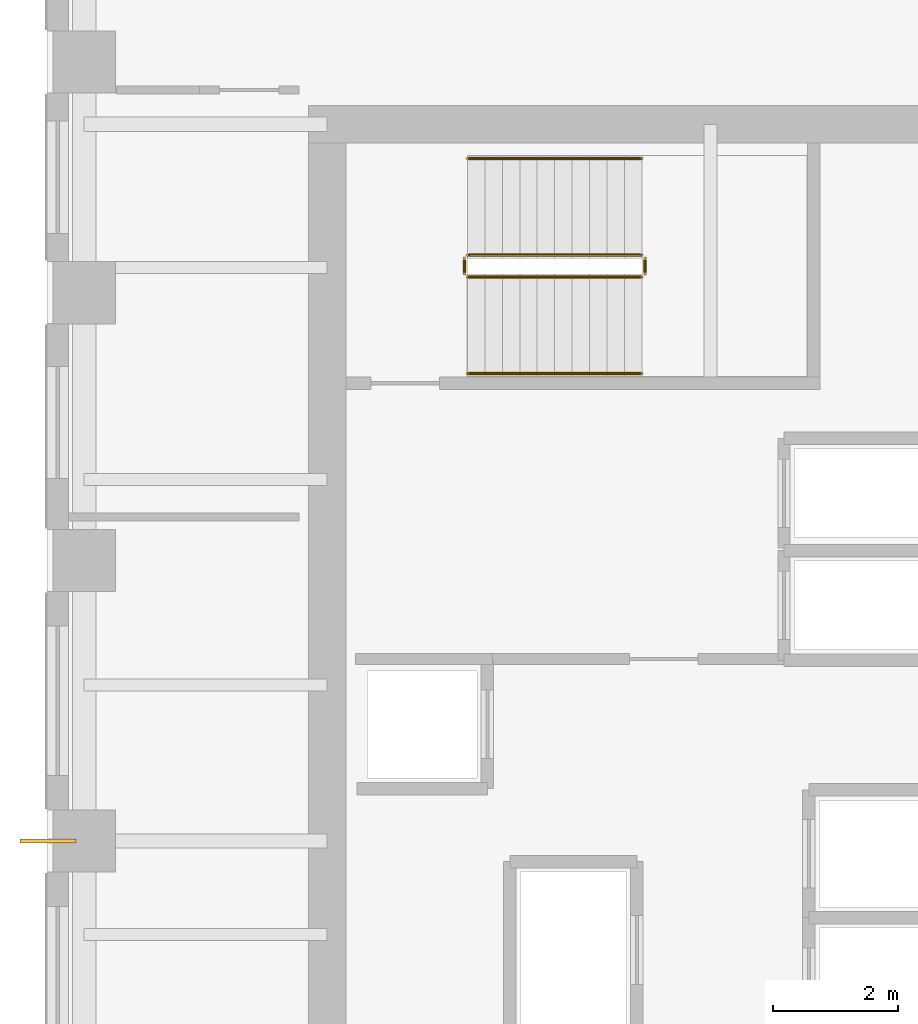
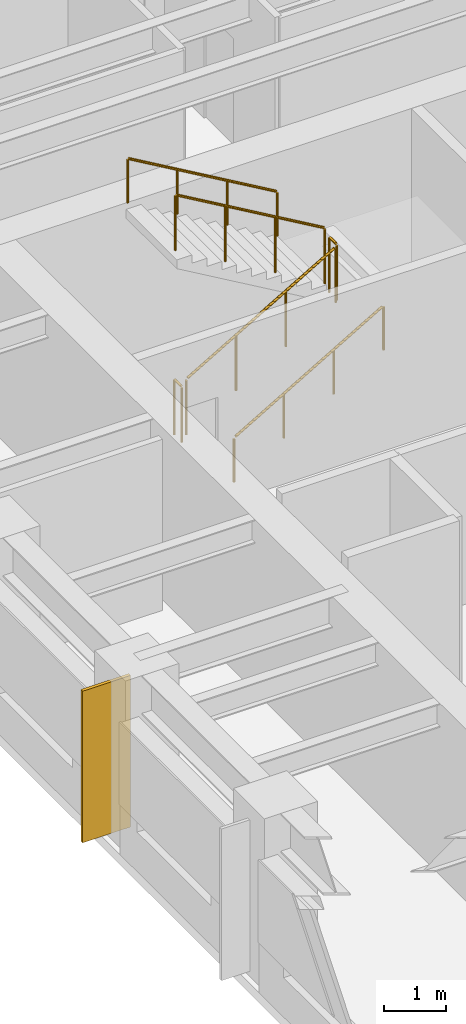
# One storey, part 11 of 12: 6 railings, 1 covering.
"""IFC4 building model written with IfcOpenShell, lengths in metres."""

from ifc_helpers import new_model, si_unit, direction, frame, origin, origin_2d, place, context, subcontext, project, spatial, rectangle, circle, extrude, source, transform, mapped, material, layer, layer_set, type_object, element, save


model = new_model("IFC4")

# Units and contexts
model_context = context("Model", 3, precision=1e-05, world=origin(), true_north=direction((0.0, 1.0)))
body_context = subcontext(model_context, "Body", "Model", "MODEL_VIEW")
ifc_project = project(units=[si_unit("LENGTHUNIT", "METRE"), si_unit("AREAUNIT", "SQUARE_METRE"), si_unit("VOLUMEUNIT", "CUBIC_METRE"), si_unit("PLANEANGLEUNIT", "RADIAN"), si_unit("MASSUNIT", "GRAM", prefix="KILO")], contexts=[model_context])

# Site, building, storey
site_placement = place(None, origin())
site = spatial("IfcSite", under=ifc_project, at=site_placement, CompositionType="ELEMENT")
building_placement = place(site_placement, origin())
building = spatial("IfcBuilding", under=site, at=building_placement, Name="Kharzan Plaza Tower", CompositionType="ELEMENT")
storey_placement = place(building_placement, frame((0.0, 0.0, 179.10009765625)))
storey = spatial("IfcBuildingStorey", under=building, at=storey_placement, Name="L48", CompositionType="ELEMENT", Elevation=179.10009765625)

# Railings
ifc_material_1 = material(Name="Painted Galvanized Architectural Steel", Category="steel")
ifc_layer_1 = layer(ifc_material_1, 0.074951171875)
ifc_layer_set_1 = layer_set([ifc_layer_1], Name="Painted Galvanized Architectural Steel")
railing_type_1 = type_object("IfcRailingType", Name="RL-GUARD-1120", PredefinedType="BALUSTRADE", material=ifc_layer_set_1)
shared_shape_1 = source(origin(), body_context, "Body", "SweptSolid", [
    extrude(circle(Radius=0.02392578125, at=origin_2d()), frame((0.0, 0.0263671875, 1.09619140625), z_axis=(0.0, 1.0, 0.0), x_axis=(-1.0, 0.0, 0.0)), (0.0, 0.0, 1.0), 0.197021484375),
    extrude(circle(Radius=0.02099609375, at=origin_2d()), origin(), (0.0, 0.0, 1.0), 1.072021484375),
    extrude(circle(Radius=0.02099609375, at=origin_2d()), frame((0.0, 0.25, 0.0)), (0.0, 0.0, 1.0), 1.072021484375),
])
for number, where, name in (
    (1, (9.60009765625, 27.10009765625, 1.7998046875), "L48 ST-2 stair guard 2"),
    (2, (6.699951171875, 27.10009765625, 0.0), "L48 ST-2 stair guard 4"),
):
    element("IfcRailing", number, at=place(storey_placement, frame(where)), inside=storey, type_object=railing_type_1, Name=name, PredefinedType="BALUSTRADE", context=body_context, shape_type="MappedRepresentation", body=[
        mapped(shared_shape_1, transform((0.0, 0.0, 0.0), x_axis=(1.0, 0.0, 0.0), y_axis=(0.0, 1.0, 0.0), z_axis=(0.0, 0.0, 1.0))),
    ])

# Covering
ifc_material_2 = material(Name="Honed Riyadh Limestone", Category="masonry")
ifc_layer_2 = layer(ifc_material_2, 0.06005859375)
ifc_layer_set_2 = layer_set([ifc_layer_2], Name="Honed Riyadh Limestone")
covering_type = type_object("IfcCoveringType", Name="COV-CLAD-STONE", PredefinedType="CLADDING", material=ifc_layer_set_2)
shared_shape_2 = source(origin(), body_context, "Body", "SweptSolid", [
    extrude(rectangle(XDim=0.06005859375, YDim=0.89990234375, at=origin_2d()), origin(), (0.0, 0.0, 1.0), 3.0),
])
covering_placement = place(storey_placement, frame((0.02001953125, 18.0, 0.099853515625), z_axis=(0.0, 0.0, 1.0), x_axis=(0.0, 1.0, 0.0)))
element("IfcCovering", 3, at=covering_placement, inside=storey, type_object=covering_type, Name="L48 Limestone Pier Rainscreen Cladding TCW-180", PredefinedType="CLADDING", context=body_context, shape_type="MappedRepresentation", body=[
    mapped(shared_shape_2, transform((0.0, 0.0, 0.0), x_axis=(1.0, 0.0, 0.0), y_axis=(0.0, 1.0, 0.0), z_axis=(0.0, 0.0, 1.0))),
])

# Railings
shared_shape_3 = source(origin(), body_context, "Body", "SweptSolid", [
    extrude(circle(Radius=0.02392578125, at=origin_2d()), frame((0.02294921875, 0.0, 1.109375), z_axis=(0.863393664356, 0.0, 0.504530851732), x_axis=(0.0, 1.0, 0.0)), (0.0, 0.0, 1.0), 3.190185546875),
    extrude(circle(Radius=0.02099609375, at=origin_2d()), origin(), (0.0, 0.0, 1.0), 1.072021484375),
    extrude(circle(Radius=0.02099609375, at=origin_2d()), frame((0.933349609375, 0.0, 0.54541015625)), (0.0, 0.0, 1.0), 1.072021484375),
    extrude(circle(Radius=0.02099609375, at=origin_2d()), frame((1.86669921875, 0.0, 1.0908203125)), (0.0, 0.0, 1.0), 1.072021484375),
    extrude(circle(Radius=0.02099609375, at=origin_2d()), frame((2.800048828125, 0.0, 1.63623046875)), (0.0, 0.0, 1.0), 1.072021484375),
])
railing_1_placement = place(storey_placement, frame((6.75, 27.050048828125, 0.16357421875)))
element("IfcRailing", 4, at=railing_1_placement, inside=storey, type_object=railing_type_1, Name="L48 ST-2 stair guard 1", PredefinedType="BALUSTRADE", context=body_context, shape_type="MappedRepresentation", body=[
    mapped(shared_shape_3, transform((0.0, 0.0, 0.0), x_axis=(1.0, 0.0, 0.0), y_axis=(0.0, 1.0, 0.0), z_axis=(0.0, 0.0, 1.0))),
])
shared_shape_4 = source(origin(), body_context, "Body", "SweptSolid", [
    extrude(circle(Radius=0.02392578125, at=origin_2d()), frame((-0.02294921875, 0.0, 1.109375), z_axis=(-0.863393664356, 0.0, 0.504530851732), x_axis=(0.0, -1.0, 0.0)), (0.0, 0.0, 1.0), 3.190185546875),
    extrude(circle(Radius=0.02099609375, at=origin_2d()), origin(), (0.0, 0.0, 1.0), 1.072021484375),
    extrude(circle(Radius=0.02099609375, at=origin_2d()), frame((-0.933349609375, 0.0, 0.54541015625)), (0.0, 0.0, 1.0), 1.072021484375),
    extrude(circle(Radius=0.02099609375, at=origin_2d()), frame((-1.86669921875, 0.0, 1.0908203125)), (0.0, 0.0, 1.0), 1.072021484375),
    extrude(circle(Radius=0.02099609375, at=origin_2d()), frame((-2.800048828125, 0.0, 1.63623046875)), (0.0, 0.0, 1.0), 1.072021484375),
])
railing_2_placement = place(storey_placement, frame((9.550048828125, 27.39990234375, 1.963623046875)))
element("IfcRailing", 5, at=railing_2_placement, inside=storey, type_object=railing_type_1, Name="L48 ST-2 stair guard 3", PredefinedType="BALUSTRADE", context=body_context, shape_type="MappedRepresentation", body=[
    mapped(shared_shape_4, transform((0.0, 0.0, 0.0), x_axis=(1.0, 0.0, 0.0), y_axis=(0.0, 1.0, 0.0), z_axis=(0.0, 0.0, 1.0))),
])
ifc_material_3 = material(Name="Brushed Stainless Steel", Category="steel")
ifc_layer_3 = layer(ifc_material_3, 0.050048828125)
ifc_layer_set_3 = layer_set([ifc_layer_3], Name="Brushed Stainless Steel")
railing_type_2 = type_object("IfcRailingType", Name="RL-STAIR-HR920", PredefinedType="HANDRAIL", material=ifc_layer_set_3)
shared_shape_5 = source(origin(), body_context, "Body", "SweptSolid", [
    extrude(circle(Radius=0.02392578125, at=origin_2d()), frame((0.02294921875, 0.0, 0.88916015625), z_axis=(0.863393664356, 0.0, 0.504530851732), x_axis=(0.0, 1.0, 0.0)), (0.0, 0.0, 1.0), 3.190185546875),
    extrude(circle(Radius=0.02099609375, at=origin_2d()), origin(), (0.0, 0.0, 1.0), 0.851806640625),
    extrude(circle(Radius=0.02099609375, at=origin_2d()), frame((0.933349609375, 0.0, 0.54541015625)), (0.0, 0.0, 1.0), 0.851806640625),
    extrude(circle(Radius=0.02099609375, at=origin_2d()), frame((1.86669921875, 0.0, 1.0908203125)), (0.0, 0.0, 1.0), 0.851806640625),
    extrude(circle(Radius=0.02099609375, at=origin_2d()), frame((2.800048828125, 0.0, 1.63623046875)), (0.0, 0.0, 1.0), 0.851806640625),
])
railing_3_placement = place(storey_placement, frame((6.75, 25.5, 0.16357421875)))
element("IfcRailing", 6, at=railing_3_placement, inside=storey, type_object=railing_type_2, Name="L48 ST-2 stair handrail 1", PredefinedType="HANDRAIL", context=body_context, shape_type="MappedRepresentation", body=[
    mapped(shared_shape_5, transform((0.0, 0.0, 0.0), x_axis=(1.0, 0.0, 0.0), y_axis=(0.0, 1.0, 0.0), z_axis=(0.0, 0.0, 1.0))),
])
shared_shape_6 = source(origin(), body_context, "Body", "SweptSolid", [
    extrude(circle(Radius=0.02392578125, at=origin_2d()), frame((-0.02294921875, 0.0, 0.88916015625), z_axis=(-0.863393664356, 0.0, 0.504530851732), x_axis=(0.0, -1.0, 0.0)), (0.0, 0.0, 1.0), 3.190185546875),
    extrude(circle(Radius=0.02099609375, at=origin_2d()), origin(), (0.0, 0.0, 1.0), 0.851806640625),
    extrude(circle(Radius=0.02099609375, at=origin_2d()), frame((-0.933349609375, 0.0, 0.54541015625)), (0.0, 0.0, 1.0), 0.851806640625),
    extrude(circle(Radius=0.02099609375, at=origin_2d()), frame((-1.86669921875, 0.0, 1.0908203125)), (0.0, 0.0, 1.0), 0.851806640625),
    extrude(circle(Radius=0.02099609375, at=origin_2d()), frame((-2.800048828125, 0.0, 1.63623046875)), (0.0, 0.0, 1.0), 0.851806640625),
])
railing_4_placement = place(storey_placement, frame((9.550048828125, 28.949951171875, 1.963623046875)))
element("IfcRailing", 7, at=railing_4_placement, inside=storey, type_object=railing_type_2, Name="L48 ST-2 stair handrail 2", PredefinedType="HANDRAIL", context=body_context, shape_type="MappedRepresentation", body=[
    mapped(shared_shape_6, transform((0.0, 0.0, 0.0), x_axis=(1.0, 0.0, 0.0), y_axis=(0.0, 1.0, 0.0), z_axis=(0.0, 0.0, 1.0))),
])

save(model, "model.ifc")
